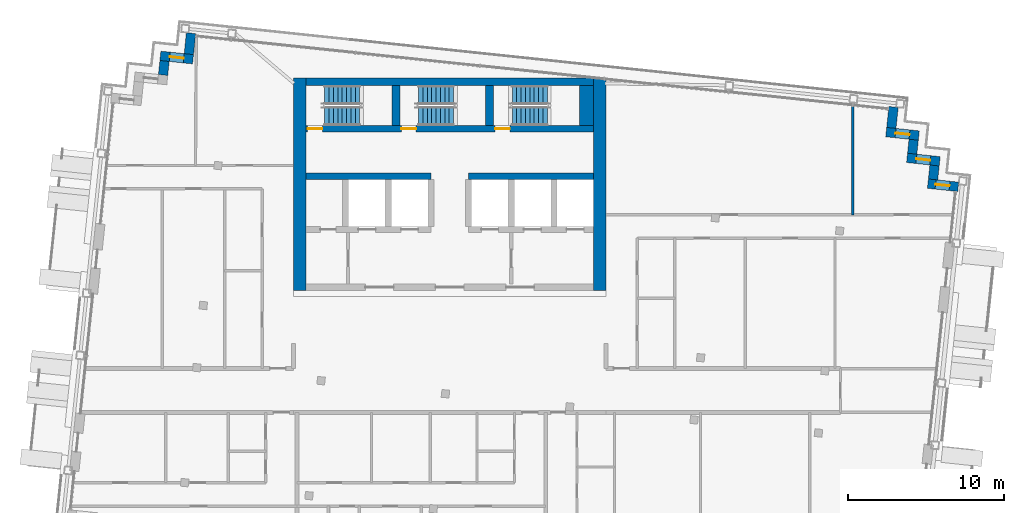
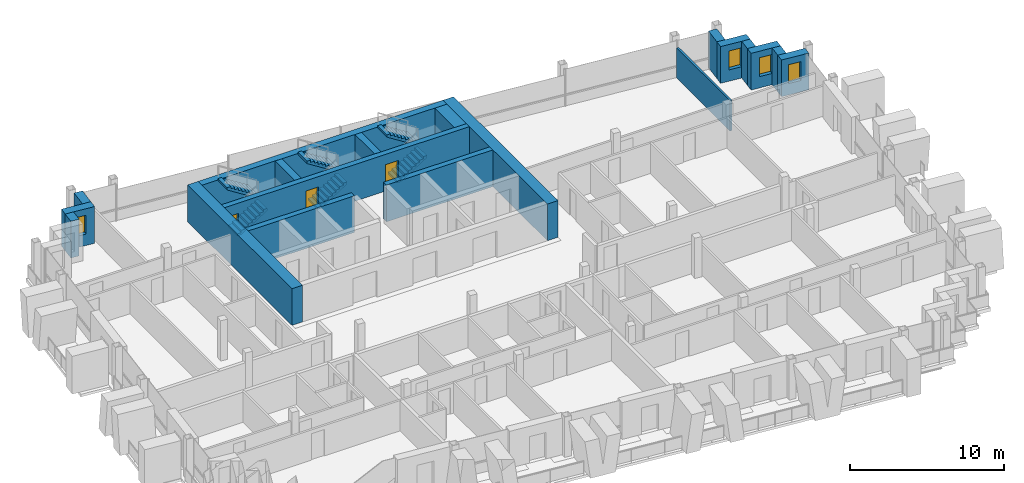
# One storey, part 12 of 16: 19 walls, 6 stair flights, 4 windows, 3 doors, 7 openings, 3 elements without a shape of their own.
"""IFC4 building model written with IfcOpenShell, lengths in metres."""

from ifc_helpers import new_model, si_unit, direction, frame, frame_2d, origin, place, context, subcontext, project, spatial, polyline, rectangle, outline, extrude, material, layer, layer_set, type_object, element, fill, aggregate, save


model = new_model("IFC4")

# Units and contexts
model_context = context("Model", 3, precision=1e-05, world=origin(), true_north=direction((0.0, 1.0)))
body_context = subcontext(model_context, "Body", "Model", "MODEL_VIEW")
ifc_project = project(units=[si_unit("LENGTHUNIT", "METRE"), si_unit("AREAUNIT", "SQUARE_METRE"), si_unit("VOLUMEUNIT", "CUBIC_METRE"), si_unit("PLANEANGLEUNIT", "RADIAN"), si_unit("MASSUNIT", "GRAM", prefix="KILO")], contexts=[model_context])

# Site, building, storey
site_placement = place(None, origin())
site = spatial("IfcSite", under=ifc_project, at=site_placement, CompositionType="ELEMENT")
building_placement = place(site_placement, origin())
building = spatial("IfcBuilding", under=site, at=building_placement, Name="Vidyagriha Tower", CompositionType="ELEMENT")
storey_placement = place(building_placement, frame((0.0, 0.0, 272.300048828125)))
storey = spatial("IfcBuildingStorey", under=building, at=storey_placement, Name="L71", CompositionType="ELEMENT", Elevation=272.300048828125)

# Wall, opening, window
ifc_material_1 = material(Name="Precast concrete C40/50 with brick facing", Category="concrete")
ifc_layer_1 = layer(ifc_material_1, 0.60009765625)
ifc_layer_set_1 = layer_set([ifc_layer_1], Name="Precast concrete C40/50 with brick facing")
wall_type_1 = type_object("IfcWallType", Name="Brick-faced precast wall 600", PredefinedType="STANDARD", material=ifc_layer_set_1)
wall_1_placement = place(storey_placement, frame((32.536376953125, 13.03125, 0.0), z_axis=(0.0, 0.0, 1.0), x_axis=(-0.994534226826, 0.104411070641, 0.0)))
wall_1 = element("IfcWall", 1, at=wall_1_placement, inside=storey, type_object=wall_type_1, Name="Stepped corner wall L71 R01", PredefinedType="STANDARD", context=body_context, shape_type="SweptSolid", body=[
    extrude(rectangle(XDim=1.9501953125, YDim=0.60009765625, at=frame_2d((0.97509765625, 0.0))), origin(), (0.0, 0.0, 1.0), 2.919921875),
])
opening_1_placement = place(wall_1_placement, frame((0.559814453125, 0.0, 0.89990234375)))
opening_1 = element("IfcOpeningElement", 2, at=opening_1_placement, cuts=wall_1, Name="Opening WN1", PredefinedType="OPENING", context=body_context, shape_type="SweptSolid", body=[
    extrude(rectangle(XDim=0.89990234375, YDim=1.5, at=frame_2d((0.449951171875, 0.75))), frame((0.0, 0.31005859375, 0.0), z_axis=(0.0, -1.0, 0.0), x_axis=(1.0, 0.0, 0.0)), (0.0, 0.0, 1.0), 0.6201171875),
])
ifc_material_2 = material(Name="Aluminium and glass window", Category="aluminium")
window_type = type_object("IfcWindowType", Name="Reveal window 900x1500", PartitioningType="NOTDEFINED", PredefinedType="WINDOW", material=ifc_material_2)
window_1_placement = place(opening_1_placement, origin())
window_1 = element("IfcWindow", 3, at=window_1_placement, inside=storey, type_object=window_type, Name="Reveal window L71 R01", OverallHeight=1.5, OverallWidth=0.89990234375, PartitioningType="SINGLE_PANEL", PredefinedType="WINDOW", context=body_context, shape_type="SweptSolid", body=[
    extrude(rectangle(XDim=0.89990234375, YDim=1.5, at=frame_2d((0.449951171875, 0.75))), frame((0.0, 0.030029296875, 0.0), z_axis=(0.0, -1.0, 0.0), x_axis=(1.0, 0.0, 0.0)), (0.0, 0.0, 1.0), 0.06005859375),
])
fill(opening_1, window_1)

# Wall
wall_2_placement = place(storey_placement, frame((30.9267578125, 13.501953125, 0.0), z_axis=(0.0, 0.0, 1.0), x_axis=(0.104416541099, 0.994533652495, 0.0)))
element("IfcWall", 4, at=wall_2_placement, inside=storey, type_object=wall_type_1, Name="Stepped corner wall L71 R02", PredefinedType="STANDARD", context=body_context, shape_type="SweptSolid", body=[
    extrude(rectangle(XDim=0.900146484375, YDim=0.60009765625, at=frame_2d((0.4501953125, 0.0))), origin(), (0.0, 0.0, 1.0), 2.919921875),
])

# Wall, opening, window
wall_3_placement = place(storey_placement, frame((31.3505859375, 14.6640625, 0.0), z_axis=(0.0, 0.0, 1.0), x_axis=(-0.994523910136, 0.104509292252, 0.0)))
wall_3 = element("IfcWall", 5, at=wall_3_placement, inside=storey, type_object=wall_type_1, Name="Stepped corner wall L71 R03", PredefinedType="STANDARD", context=body_context, shape_type="SweptSolid", body=[
    extrude(rectangle(XDim=2.10009765625, YDim=0.60009765625, at=frame_2d((1.050048828125, 0.0))), origin(), (0.0, 0.0, 1.0), 2.919921875),
])
opening_2_placement = place(wall_3_placement, frame((0.60009765625, 0.0, 0.89990234375)))
opening_2 = element("IfcOpeningElement", 6, at=opening_2_placement, cuts=wall_3, Name="Opening WN1", PredefinedType="OPENING", context=body_context, shape_type="SweptSolid", body=[
    extrude(rectangle(XDim=0.89990234375, YDim=1.5, at=frame_2d((0.449951171875, 0.75))), frame((0.0, 0.31005859375, 0.0), z_axis=(0.0, -1.0, 0.0), x_axis=(1.0, 0.0, 0.0)), (0.0, 0.0, 1.0), 0.6201171875),
])
window_2_placement = place(opening_2_placement, origin())
window_2 = element("IfcWindow", 7, at=window_2_placement, inside=storey, type_object=window_type, Name="Reveal window L71 R03", OverallHeight=1.5, OverallWidth=0.89990234375, PartitioningType="SINGLE_PANEL", PredefinedType="WINDOW", context=body_context, shape_type="SweptSolid", body=[
    extrude(rectangle(XDim=0.89990234375, YDim=1.5, at=frame_2d((0.449951171875, 0.75))), frame((0.0, 0.030029296875, 0.0), z_axis=(0.0, -1.0, 0.0), x_axis=(1.0, 0.0, 0.0)), (0.0, 0.0, 1.0), 0.06005859375),
])
fill(opening_2, window_2)

# Wall
wall_4_placement = place(storey_placement, frame((29.591796875, 15.150634765625, 0.0), z_axis=(0.0, 0.0, 1.0), x_axis=(0.104444712852, 0.994530694326, 0.0)))
element("IfcWall", 8, at=wall_4_placement, inside=storey, type_object=wall_type_1, Name="Stepped corner wall L71 R04", PredefinedType="STANDARD", context=body_context, shape_type="SweptSolid", body=[
    extrude(rectangle(XDim=0.89990234375, YDim=0.60009765625, at=frame_2d((0.449951171875, 0.0))), origin(), (0.0, 0.0, 1.0), 2.919921875),
])

# Wall, opening, window
wall_5_placement = place(storey_placement, frame((30.015380859375, 16.3125, 0.0), z_axis=(0.0, 0.0, 1.0), x_axis=(-0.994510548187, 0.104636368175, 0.0)))
wall_5 = element("IfcWall", 9, at=wall_5_placement, inside=storey, type_object=wall_type_1, Name="Stepped corner wall L71 R05", PredefinedType="STANDARD", context=body_context, shape_type="SweptSolid", body=[
    extrude(rectangle(XDim=2.099853515625, YDim=0.60009765625, at=frame_2d((1.0498046875, 0.0))), origin(), (0.0, 0.0, 1.0), 2.919921875),
])
opening_3_placement = place(wall_5_placement, frame((0.60009765625, 0.0, 0.89990234375)))
opening_3 = element("IfcOpeningElement", 10, at=opening_3_placement, cuts=wall_5, Name="Opening WN1", PredefinedType="OPENING", context=body_context, shape_type="SweptSolid", body=[
    extrude(rectangle(XDim=0.89990234375, YDim=1.5, at=frame_2d((0.449951171875, 0.75))), frame((0.0, 0.31005859375, 0.0), z_axis=(0.0, -1.0, 0.0), x_axis=(1.0, 0.0, 0.0)), (0.0, 0.0, 1.0), 0.6201171875),
])
window_3_placement = place(opening_3_placement, origin())
window_3 = element("IfcWindow", 11, at=window_3_placement, inside=storey, type_object=window_type, Name="Reveal window L71 R05", OverallHeight=1.5, OverallWidth=0.89990234375, PartitioningType="SINGLE_PANEL", PredefinedType="WINDOW", context=body_context, shape_type="SweptSolid", body=[
    extrude(rectangle(XDim=0.89990234375, YDim=1.5, at=frame_2d((0.449951171875, 0.75))), frame((0.0, 0.030029296875, 0.0), z_axis=(0.0, -1.0, 0.0), x_axis=(1.0, 0.0, 0.0)), (0.0, 0.0, 1.0), 0.06005859375),
])
fill(opening_3, window_3)

# Walls
wall_6_placement = place(storey_placement, frame((28.256591796875, 16.79931640625, 0.0), z_axis=(0.0, 0.0, 1.0), x_axis=(0.104534153452, 0.994521297289, 0.0)))
element("IfcWall", 12, at=wall_6_placement, inside=storey, type_object=wall_type_1, Name="Stepped corner wall L71 R06", PredefinedType="STANDARD", context=body_context, shape_type="SweptSolid", body=[
    extrude(rectangle(XDim=1.349853515625, YDim=0.60009765625, at=frame_2d((0.6748046875, 0.0))), origin(), (0.0, 0.0, 1.0), 2.919921875),
])
wall_7_placement = place(storey_placement, frame((-16.5546875, 22.866455078125, 0.0), z_axis=(0.0, 0.0, 1.0), x_axis=(-0.104515354875, -0.994523273029, 0.0)))
element("IfcWall", 13, at=wall_7_placement, inside=storey, type_object=wall_type_1, Name="Stepped corner wall L71 R08", PredefinedType="STANDARD", context=body_context, shape_type="SweptSolid", body=[
    extrude(rectangle(XDim=1.35009765625, YDim=0.60009765625, at=frame_2d((0.675048828125, 0.0))), origin(), (0.0, 0.0, 1.0), 2.919921875),
])

# Wall, opening, window
wall_8_placement = place(storey_placement, frame((-16.4287109375, 21.194091796875, 0.0), z_axis=(0.0, 0.0, 1.0), x_axis=(-0.994522640205, 0.104521376379, 0.0)))
wall_8 = element("IfcWall", 14, at=wall_8_placement, inside=storey, type_object=wall_type_1, Name="Stepped corner wall L71 R09", PredefinedType="STANDARD", context=body_context, shape_type="SweptSolid", body=[
    extrude(rectangle(XDim=2.099853515625, YDim=0.60009765625, at=frame_2d((1.0498046875, 0.0))), origin(), (0.0, 0.0, 1.0), 2.919921875),
])
opening_4_placement = place(wall_8_placement, frame((0.599853515625, 0.0, 0.89990234375)))
opening_4 = element("IfcOpeningElement", 15, at=opening_4_placement, cuts=wall_8, Name="Opening WN1", PredefinedType="OPENING", context=body_context, shape_type="SweptSolid", body=[
    extrude(rectangle(XDim=0.89990234375, YDim=1.5, at=frame_2d((0.449951171875, 0.75))), frame((0.0, 0.31005859375, 0.0), z_axis=(0.0, -1.0, 0.0), x_axis=(1.0, 0.0, 0.0)), (0.0, 0.0, 1.0), 0.6201171875),
])
window_4_placement = place(opening_4_placement, origin())
window_4 = element("IfcWindow", 16, at=window_4_placement, inside=storey, type_object=window_type, Name="Reveal window L71 R09", OverallHeight=1.5, OverallWidth=0.89990234375, PartitioningType="SINGLE_PANEL", PredefinedType="WINDOW", context=body_context, shape_type="SweptSolid", body=[
    extrude(rectangle(XDim=0.89990234375, YDim=1.5, at=frame_2d((0.449951171875, 0.75))), frame((0.0, 0.030029296875, 0.0), z_axis=(0.0, -1.0, 0.0), x_axis=(1.0, 0.0, 0.0)), (0.0, 0.0, 1.0), 0.06005859375),
])
fill(opening_4, window_4)

# Walls
wall_9_placement = place(storey_placement, frame((-18.250244140625, 21.083984375, 0.0), z_axis=(0.0, 0.0, 1.0), x_axis=(-0.104416541099, -0.994533652495, 0.0)))
element("IfcWall", 17, at=wall_9_placement, inside=storey, type_object=wall_type_1, Name="Stepped corner wall L71 R10", PredefinedType="STANDARD", context=body_context, shape_type="SweptSolid", body=[
    extrude(rectangle(XDim=0.900146484375, YDim=0.60009765625, at=frame_2d((0.4501953125, 0.0))), origin(), (0.0, 0.0, 1.0), 2.919921875),
])
ifc_material_3 = material(Name="Concrete C60/75", Category="concrete")
ifc_layer_2 = layer(ifc_material_3, 0.39990234375)
ifc_layer_set_2 = layer_set([ifc_layer_2], Name="Concrete C60/75")
wall_type_2 = type_object("IfcWallType", Name="Core shear wall 400 mm", PredefinedType="SHEAR", material=ifc_layer_set_2)
for number, where, name in (
    (18, (-9.199951171875, 13.699951171875, 0.0), "Core row N rear wall"),
    (19, (1.199951171875, 13.699951171875, 0.0), "Core row N rear wall"),
):
    element("IfcWall", number, at=place(storey_placement, frame(where)), inside=storey, type_object=wall_type_2, Name=name, PredefinedType="SHEAR", context=body_context, shape_type="SweptSolid", body=[
        extrude(rectangle(XDim=8.0, YDim=0.39990234375, at=frame_2d((4.0, 0.0))), origin(), (0.0, 0.0, 1.0), 2.919921875),
    ])

# Wall, openings, doors
wall_10_placement = place(storey_placement, frame((-9.199951171875, 16.75, 0.0)))
wall_10 = element("IfcWall", 20, at=wall_10_placement, inside=storey, type_object=wall_type_2, Name="Stair front wall", PredefinedType="SHEAR", context=body_context, shape_type="SweptSolid", body=[
    extrude(rectangle(XDim=18.39990234375, YDim=0.39990234375, at=frame_2d((9.199951171875, 0.0))), origin(), (0.0, 0.0, 1.0), 2.919921875),
])
opening_5_placement = place(wall_10_placement, frame((0.10009765625, 0.0, 0.0)))
opening_5 = element("IfcOpeningElement", 21, at=opening_5_placement, cuts=wall_10, Name="Opening D71-06", PredefinedType="OPENING", context=body_context, shape_type="SweptSolid", body=[
    extrude(rectangle(XDim=0.949951171875, YDim=2.10009765625, at=frame_2d((0.47509765625, 1.050048828125))), frame((0.0, 0.2099609375, 0.0), z_axis=(0.0, -1.0, 0.0), x_axis=(1.0, 0.0, 0.0)), (0.0, 0.0, 1.0), 0.419921875),
])
opening_6_placement = place(wall_10_placement, frame((6.10009765625, 0.0, 0.0)))
opening_6 = element("IfcOpeningElement", 22, at=opening_6_placement, cuts=wall_10, Name="Opening D71-07", PredefinedType="OPENING", context=body_context, shape_type="SweptSolid", body=[
    extrude(rectangle(XDim=0.949951171875, YDim=2.10009765625, at=frame_2d((0.47509765625, 1.050048828125))), frame((0.0, 0.2099609375, 0.0), z_axis=(0.0, -1.0, 0.0), x_axis=(1.0, 0.0, 0.0)), (0.0, 0.0, 1.0), 0.419921875),
])
opening_7_placement = place(wall_10_placement, frame((12.10009765625, 0.0, 0.0)))
opening_7 = element("IfcOpeningElement", 23, at=opening_7_placement, cuts=wall_10, Name="Opening D71-08", PredefinedType="OPENING", context=body_context, shape_type="SweptSolid", body=[
    extrude(rectangle(XDim=0.949951171875, YDim=2.10009765625, at=frame_2d((0.47509765625, 1.050048828125))), frame((0.0, 0.2099609375, 0.0), z_axis=(0.0, -1.0, 0.0), x_axis=(1.0, 0.0, 0.0)), (0.0, 0.0, 1.0), 0.419921875),
])
ifc_material_4 = material(Name="Hollow metal door leaf")
door_type = type_object("IfcDoorType", Name="Exit stair door 950 x 2100 mm EI 90", OperationType="NOTDEFINED", PredefinedType="DOOR", material=ifc_material_4)
door_1_placement = place(opening_5_placement, origin())
door_1 = element("IfcDoor", 24, at=door_1_placement, inside=storey, type_object=door_type, Name="Stair door ST1 L71", OperationType="SINGLE_SWING_LEFT", OverallHeight=2.10009765625, OverallWidth=0.949951171875, PredefinedType="DOOR", context=body_context, shape_type="SweptSolid", body=[
    extrude(rectangle(XDim=0.949951171875, YDim=2.10009765625, at=frame_2d((0.47509765625, 1.050048828125))), frame((0.0, 0.02490234375, 0.0), z_axis=(0.0, -1.0, 0.0), x_axis=(1.0, 0.0, 0.0)), (0.0, 0.0, 1.0), 0.050048828125),
])
fill(opening_5, door_1)
door_2_placement = place(opening_6_placement, origin())
door_2 = element("IfcDoor", 25, at=door_2_placement, inside=storey, type_object=door_type, Name="Stair door ST2 L71", OperationType="SINGLE_SWING_LEFT", OverallHeight=2.10009765625, OverallWidth=0.949951171875, PredefinedType="DOOR", context=body_context, shape_type="SweptSolid", body=[
    extrude(rectangle(XDim=0.949951171875, YDim=2.10009765625, at=frame_2d((0.47509765625, 1.050048828125))), frame((0.0, 0.02490234375, 0.0), z_axis=(0.0, -1.0, 0.0), x_axis=(1.0, 0.0, 0.0)), (0.0, 0.0, 1.0), 0.050048828125),
])
fill(opening_6, door_2)
door_3_placement = place(opening_7_placement, origin())
door_3 = element("IfcDoor", 26, at=door_3_placement, inside=storey, type_object=door_type, Name="Stair door ST3 L71", OperationType="SINGLE_SWING_LEFT", OverallHeight=2.10009765625, OverallWidth=0.949951171875, PredefinedType="DOOR", context=body_context, shape_type="SweptSolid", body=[
    extrude(rectangle(XDim=0.949951171875, YDim=2.10009765625, at=frame_2d((0.47509765625, 1.050048828125))), frame((0.0, 0.02490234375, 0.0), z_axis=(0.0, -1.0, 0.0), x_axis=(1.0, 0.0, 0.0)), (0.0, 0.0, 1.0), 0.050048828125),
])
fill(opening_7, door_3)

# Walls
ifc_material_5 = material(Name="Concrete C60/75", Category="concrete")
ifc_layer_3 = layer(ifc_material_5, 0.5)
ifc_layer_set_3 = layer_set([ifc_layer_3], Name="Concrete C60/75")
wall_type_3 = type_object("IfcWallType", Name="Core shear wall 500 mm", PredefinedType="SHEAR", material=ifc_layer_set_3)
wall_11_placement = place(storey_placement, frame((-9.199951171875, 19.75, 0.0)))
element("IfcWall", 27, at=wall_11_placement, inside=storey, type_object=wall_type_3, Name="Core north wall", PredefinedType="SHEAR", context=body_context, shape_type="SweptSolid", body=[
    extrude(rectangle(XDim=18.39990234375, YDim=0.5, at=frame_2d((9.199951171875, 0.0))), origin(), (0.0, 0.0, 1.0), 2.919921875),
])
for number, where, z_axis, x_axis, name in (
    (28, (-3.449951171875, 16.949951171875, 0.0), (0.0, 0.0, 1.0), (0.0, 1.0, 0.0), "Stair partition wall 1"),
    (29, (2.550048828125, 16.949951171875, 0.0), (0.0, 0.0, 1.0), (0.0, 1.0, 0.0), "Stair partition wall 2"),
):
    element("IfcWall", number, at=place(storey_placement, frame(where, z_axis=z_axis, x_axis=x_axis)), inside=storey, type_object=wall_type_3, Name=name, PredefinedType="SHEAR", context=body_context, shape_type="SweptSolid", body=[
        extrude(rectangle(XDim=2.550048828125, YDim=0.5, at=frame_2d((1.27490234375, 0.0))), origin(), (0.0, 0.0, 1.0), 2.919921875),
    ])
ifc_material_6 = material(Name="Concrete C60/75", Category="concrete")
ifc_layer_4 = layer(ifc_material_6, 0.800048828125)
ifc_layer_set_4 = layer_set([ifc_layer_4], Name="Concrete C60/75")
wall_type_4 = type_object("IfcWallType", Name="Core shear wall 800 mm", PredefinedType="SHEAR", material=ifc_layer_set_4)
for number, where, z_axis, x_axis, name in (
    (30, (-9.60009765625, 6.39990234375, 0.0), (0.0, 0.0, 1.0), (0.0, 1.0, 0.0), "Core west wall"),
    (31, (9.60009765625, 6.39990234375, 0.0), (0.0, 0.0, 1.0), (0.0, 1.0, 0.0), "Core east wall"),
):
    element("IfcWall", number, at=place(storey_placement, frame(where, z_axis=z_axis, x_axis=x_axis)), inside=storey, type_object=wall_type_4, Name=name, PredefinedType="SHEAR", context=body_context, shape_type="SweptSolid", body=[
        extrude(rectangle(XDim=13.60009765625, YDim=0.800048828125, at=frame_2d((6.800048828125, 0.0))), origin(), (0.0, 0.0, 1.0), 2.919921875),
    ])
ifc_material_7 = material(Name="Concrete C60/75", Category="concrete")
ifc_layer_5 = layer(ifc_material_7, 0.89990234375)
ifc_layer_set_5 = layer_set([ifc_layer_5], Name="Concrete C60/75")
wall_type_5 = type_object("IfcWallType", Name="Core shear wall 900 mm", PredefinedType="SHEAR", material=ifc_layer_set_5)
wall_12_placement = place(storey_placement, frame((8.75, 16.949951171875, 0.0), z_axis=(0.0, 0.0, 1.0), x_axis=(0.0, 1.0, 0.0)))
element("IfcWall", 32, at=wall_12_placement, inside=storey, type_object=wall_type_5, Name="Stair end wall", PredefinedType="SHEAR", context=body_context, shape_type="SweptSolid", body=[
    extrude(rectangle(XDim=2.550048828125, YDim=0.89990234375, at=frame_2d((1.27490234375, 0.0))), origin(), (0.0, 0.0, 1.0), 2.919921875),
])
ifc_material_8 = material(Name="Gypsum board partition")
ifc_layer_6 = layer(ifc_material_8, 0.14990234375)
ifc_layer_set_6 = layer_set([ifc_layer_6], Name="Gypsum board partition")
wall_type_6 = type_object("IfcWallType", Name="Gypsum board partition 150", PredefinedType="PARTITIONING", material=ifc_layer_set_6)
wall_13_placement = place(storey_placement, frame((25.79638671875, 18.184814453125, 0.0), z_axis=(0.0, 0.0, 1.0), x_axis=(0.0, -1.0, 0.0)))
element("IfcWall", 33, at=wall_13_placement, inside=storey, type_object=wall_type_6, Name="Wall all-L71-w088", PredefinedType="PARTITIONING", context=body_context, shape_type="SweptSolid", body=[
    extrude(rectangle(XDim=6.94140625, YDim=0.14990234375, at=frame_2d((3.470703125, 0.0))), origin(), (0.0, 0.0, 1.0), 2.39990234375),
])

# Stair, stair flights
ifc_material_9 = material(Name="Concrete C40/50", Category="concrete")
stair_type = type_object("IfcStairType", Name="Exit stair, half-turn, precast flights", PredefinedType="HALF_TURN_STAIR", material=ifc_material_9)
stair_1_placement = place(storey_placement, origin())
stair_1 = element("IfcStair", 34, at=stair_1_placement, inside=storey, type_object=stair_type, Name="L71 Exit Stair ST1", PredefinedType="HALF_TURN_STAIR")
ifc_material_10 = material(Name="Precast concrete C40/50", Category="concrete")
stair_flight_type = type_object("IfcStairFlightType", Name="Exit stair flight 1200 mm, precast", PredefinedType="STRAIGHT", material=ifc_material_10)
stair_flight_1_placement = place(storey_placement, frame((-8.0, 17.550048828125, 0.0)))
stair_flight_1 = element("IfcStairFlight", 35, at=stair_flight_1_placement, type_object=stair_flight_type, Name="ST1 flight 1", NumberOfRisers=9, NumberOfTreads=8, PredefinedType="STRAIGHT", RiserHeight=0.177777778, TreadLength=0.28, context=body_context, shape_type="SweptSolid", body=[
    extrude(outline(polyline([(0.0, 0.0), (0.0, 0.177734375), (0.280029296875, 0.177734375), (0.280029296875, 0.35546875), (0.56005859375, 0.35546875), (0.56005859375, 0.533447265625), (0.840087890625, 0.533447265625), (0.840087890625, 0.711181640625), (1.1201171875, 0.711181640625), (1.1201171875, 0.888916015625), (1.39990234375, 0.888916015625), (1.39990234375, 1.066650390625), (1.679931640625, 1.066650390625), (1.679931640625, 1.244384765625), (1.9599609375, 1.244384765625), (1.9599609375, 1.422119140625), (2.239990234375, 1.422119140625), (2.239990234375, 1.60009765625), (2.239990234375, 1.24462890625), (0.27978515625, 0.0), (0.0, 0.0)])), frame((0.0, 0.60009765625, 0.0), z_axis=(0.0, -1.0, 0.0), x_axis=(1.0, 0.0, 0.0)), (0.0, 0.0, 1.0), 1.199951171875),
])
stair_flight_2_placement = place(storey_placement, frame((-5.760009765625, 18.89990234375, 1.599853515625), z_axis=(0.0, 0.0, 1.0), x_axis=(-1.0, 0.0, 0.0)))
stair_flight_2 = element("IfcStairFlight", 36, at=stair_flight_2_placement, type_object=stair_flight_type, Name="ST1 flight 2", NumberOfRisers=9, NumberOfTreads=8, PredefinedType="STRAIGHT", RiserHeight=0.177777778, TreadLength=0.28, context=body_context, shape_type="SweptSolid", body=[
    extrude(outline(polyline([(0.0, 0.0), (0.0, 0.177734375), (0.280029296875, 0.177734375), (0.280029296875, 0.35546875), (0.56005859375, 0.35546875), (0.56005859375, 0.533447265625), (0.840087890625, 0.533447265625), (0.840087890625, 0.711181640625), (1.1201171875, 0.711181640625), (1.1201171875, 0.888916015625), (1.39990234375, 0.888916015625), (1.39990234375, 1.066650390625), (1.679931640625, 1.066650390625), (1.679931640625, 1.244384765625), (1.9599609375, 1.244384765625), (1.9599609375, 1.422119140625), (2.239990234375, 1.422119140625), (2.239990234375, 1.60009765625), (2.239990234375, 1.24462890625), (0.27978515625, 0.0), (0.0, 0.0)])), frame((0.0, 0.60009765625, 0.0), z_axis=(0.0, -1.0, 0.0), x_axis=(1.0, 0.0, 0.0)), (0.0, 0.0, 1.0), 1.199951171875),
])
aggregate(stair_1, [stair_flight_1, stair_flight_2])

stair_2_placement = place(storey_placement, origin())
stair_2 = element("IfcStair", 37, at=stair_2_placement, inside=storey, type_object=stair_type, Name="L71 Exit Stair ST2", PredefinedType="HALF_TURN_STAIR")
stair_flight_3_placement = place(storey_placement, frame((-2.0, 17.550048828125, 0.0)))
stair_flight_3 = element("IfcStairFlight", 38, at=stair_flight_3_placement, type_object=stair_flight_type, Name="ST2 flight 1", NumberOfRisers=9, NumberOfTreads=8, PredefinedType="STRAIGHT", RiserHeight=0.177777778, TreadLength=0.28, context=body_context, shape_type="SweptSolid", body=[
    extrude(outline(polyline([(0.0, 0.0), (0.0, 0.177734375), (0.280029296875, 0.177734375), (0.280029296875, 0.35546875), (0.56005859375, 0.35546875), (0.56005859375, 0.533447265625), (0.840087890625, 0.533447265625), (0.840087890625, 0.711181640625), (1.1201171875, 0.711181640625), (1.1201171875, 0.888916015625), (1.39990234375, 0.888916015625), (1.39990234375, 1.066650390625), (1.679931640625, 1.066650390625), (1.679931640625, 1.244384765625), (1.9599609375, 1.244384765625), (1.9599609375, 1.422119140625), (2.239990234375, 1.422119140625), (2.239990234375, 1.60009765625), (2.239990234375, 1.24462890625), (0.27978515625, 0.0), (0.0, 0.0)])), frame((0.0, 0.60009765625, 0.0), z_axis=(0.0, -1.0, 0.0), x_axis=(1.0, 0.0, 0.0)), (0.0, 0.0, 1.0), 1.199951171875),
])
stair_flight_4_placement = place(storey_placement, frame((0.239990234375, 18.89990234375, 1.599853515625), z_axis=(0.0, 0.0, 1.0), x_axis=(-1.0, 0.0, 0.0)))
stair_flight_4 = element("IfcStairFlight", 39, at=stair_flight_4_placement, type_object=stair_flight_type, Name="ST2 flight 2", NumberOfRisers=9, NumberOfTreads=8, PredefinedType="STRAIGHT", RiserHeight=0.177777778, TreadLength=0.28, context=body_context, shape_type="SweptSolid", body=[
    extrude(outline(polyline([(0.0, 0.0), (0.0, 0.177734375), (0.280029296875, 0.177734375), (0.280029296875, 0.35546875), (0.56005859375, 0.35546875), (0.56005859375, 0.533447265625), (0.840087890625, 0.533447265625), (0.840087890625, 0.711181640625), (1.1201171875, 0.711181640625), (1.1201171875, 0.888916015625), (1.39990234375, 0.888916015625), (1.39990234375, 1.066650390625), (1.679931640625, 1.066650390625), (1.679931640625, 1.244384765625), (1.9599609375, 1.244384765625), (1.9599609375, 1.422119140625), (2.239990234375, 1.422119140625), (2.239990234375, 1.60009765625), (2.239990234375, 1.24462890625), (0.27978515625, 0.0), (0.0, 0.0)])), frame((0.0, 0.60009765625, 0.0), z_axis=(0.0, -1.0, 0.0), x_axis=(1.0, 0.0, 0.0)), (0.0, 0.0, 1.0), 1.199951171875),
])
aggregate(stair_2, [stair_flight_3, stair_flight_4])

stair_3_placement = place(storey_placement, origin())
stair_3 = element("IfcStair", 40, at=stair_3_placement, inside=storey, type_object=stair_type, Name="L71 Exit Stair ST3", PredefinedType="HALF_TURN_STAIR")
stair_flight_5_placement = place(storey_placement, frame((4.0, 17.550048828125, 0.0)))
stair_flight_5 = element("IfcStairFlight", 41, at=stair_flight_5_placement, type_object=stair_flight_type, Name="ST3 flight 1", NumberOfRisers=9, NumberOfTreads=8, PredefinedType="STRAIGHT", RiserHeight=0.177777778, TreadLength=0.28, context=body_context, shape_type="SweptSolid", body=[
    extrude(outline(polyline([(0.0, 0.0), (0.0, 0.177734375), (0.280029296875, 0.177734375), (0.280029296875, 0.35546875), (0.56005859375, 0.35546875), (0.56005859375, 0.533447265625), (0.840087890625, 0.533447265625), (0.840087890625, 0.711181640625), (1.1201171875, 0.711181640625), (1.1201171875, 0.888916015625), (1.39990234375, 0.888916015625), (1.39990234375, 1.066650390625), (1.679931640625, 1.066650390625), (1.679931640625, 1.244384765625), (1.9599609375, 1.244384765625), (1.9599609375, 1.422119140625), (2.239990234375, 1.422119140625), (2.239990234375, 1.60009765625), (2.239990234375, 1.24462890625), (0.27978515625, 0.0), (0.0, 0.0)])), frame((0.0, 0.60009765625, 0.0), z_axis=(0.0, -1.0, 0.0), x_axis=(1.0, 0.0, 0.0)), (0.0, 0.0, 1.0), 1.199951171875),
])
stair_flight_6_placement = place(storey_placement, frame((6.239990234375, 18.89990234375, 1.599853515625), z_axis=(0.0, 0.0, 1.0), x_axis=(-1.0, 0.0, 0.0)))
stair_flight_6 = element("IfcStairFlight", 42, at=stair_flight_6_placement, type_object=stair_flight_type, Name="ST3 flight 2", NumberOfRisers=9, NumberOfTreads=8, PredefinedType="STRAIGHT", RiserHeight=0.177777778, TreadLength=0.28, context=body_context, shape_type="SweptSolid", body=[
    extrude(outline(polyline([(0.0, 0.0), (0.0, 0.177734375), (0.280029296875, 0.177734375), (0.280029296875, 0.35546875), (0.56005859375, 0.35546875), (0.56005859375, 0.533447265625), (0.840087890625, 0.533447265625), (0.840087890625, 0.711181640625), (1.1201171875, 0.711181640625), (1.1201171875, 0.888916015625), (1.39990234375, 0.888916015625), (1.39990234375, 1.066650390625), (1.679931640625, 1.066650390625), (1.679931640625, 1.244384765625), (1.9599609375, 1.244384765625), (1.9599609375, 1.422119140625), (2.239990234375, 1.422119140625), (2.239990234375, 1.60009765625), (2.239990234375, 1.24462890625), (0.27978515625, 0.0), (0.0, 0.0)])), frame((0.0, 0.60009765625, 0.0), z_axis=(0.0, -1.0, 0.0), x_axis=(1.0, 0.0, 0.0)), (0.0, 0.0, 1.0), 1.199951171875),
])
aggregate(stair_3, [stair_flight_5, stair_flight_6])

save(model, "model.ifc")
